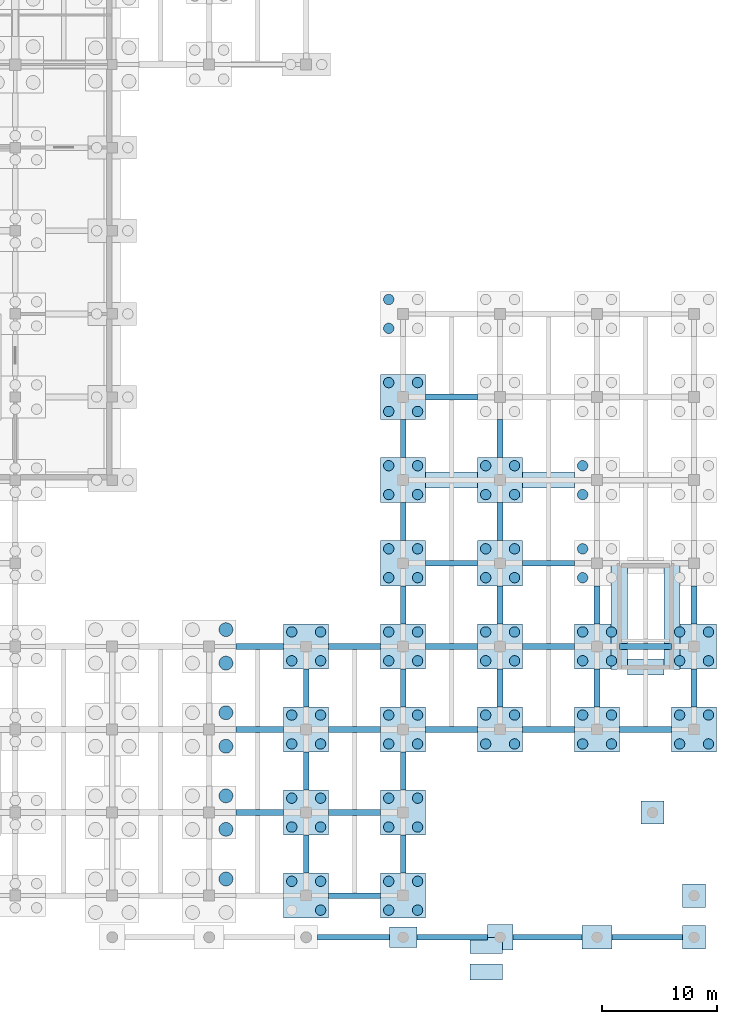
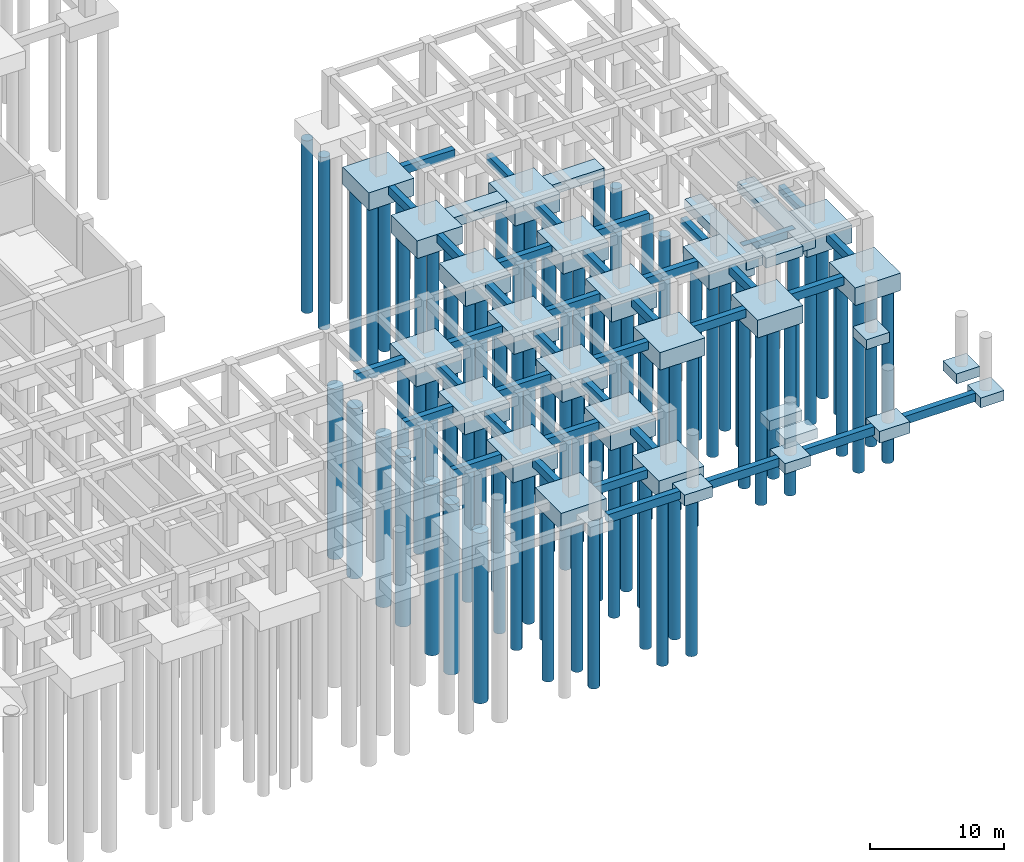
# One storey, part 10 of 26: 88 piles, 69 footings.
"""IFC4 building model written with IfcOpenShell, lengths in metres."""

from ifc_helpers import new_model, si_unit, direction, frame, origin, origin_2d, place, context, subcontext, project, spatial, rectangle, circle, extrude, material, material_profile, profile_set, type_object, element, save


model = new_model("IFC4")

# Units and contexts
model_context = context("Model", 3, precision=1e-05, world=origin(), true_north=direction((0.0, 1.0)))
body_context = subcontext(model_context, "Body", "Model", "MODEL_VIEW")
ifc_project = project(units=[si_unit("LENGTHUNIT", "METRE"), si_unit("AREAUNIT", "SQUARE_METRE"), si_unit("VOLUMEUNIT", "CUBIC_METRE"), si_unit("PLANEANGLEUNIT", "RADIAN"), si_unit("MASSUNIT", "GRAM", prefix="KILO")], contexts=[model_context])

# Site, building, storey
site_placement = place(None, origin())
site = spatial("IfcSite", under=ifc_project, at=site_placement, CompositionType="ELEMENT")
building_placement = place(site_placement, origin())
building = spatial("IfcBuilding", under=site, at=building_placement, Name="Kenerak Square Central Library", CompositionType="ELEMENT")
storey_placement = place(building_placement, frame((0.0, 0.0, -4.800048828125)))
storey = spatial("IfcBuildingStorey", under=building, at=storey_placement, Name="B1", CompositionType="ELEMENT", Elevation=-4.800048828125)

# Piles
ifc_material = material(Name="Concrete C40/50", Category="concrete")
ifc_material_profile_1 = material_profile(ifc_material, circle(Radius=0.60009765625, at=origin_2d()), Name="BP D1200")
ifc_profile_set_1 = profile_set([ifc_material_profile_1], Name="Concrete C40/50")
pile_type_1 = type_object("IfcPileType", Name="Bored Pile D1200 C40/50", PredefinedType="BORED", material=ifc_profile_set_1)
for number, where, z_axis, x_axis, name in (
    (1, (135.449951171875, 18.25, -1.699951171875), (0.0, 0.0, -1.0), (1.0, 0.0, 0.0), "Bored Pile BP-1200 0732"),
    (2, (135.449951171875, 22.550048828125, -1.699951171875), (0.0, 0.0, -1.0), (1.0, 0.0, 0.0), "Bored Pile BP-1200 0734"),
    (3, (135.449951171875, 25.449951171875, -1.699951171875), (0.0, 0.0, -1.0), (1.0, 0.0, 0.0), "Bored Pile BP-1200 0736"),
    (4, (135.449951171875, 29.75, -1.699951171875), (0.0, 0.0, -1.0), (1.0, 0.0, 0.0), "Bored Pile BP-1200 0738"),
    (5, (135.449951171875, 32.64990234375, -1.699951171875), (0.0, 0.0, -1.0), (1.0, 0.0, 0.0), "Bored Pile BP-1200 0740"),
    (6, (135.449951171875, 36.949951171875, -1.699951171875), (0.0, 0.0, -1.0), (1.0, 0.0, 0.0), "Bored Pile BP-1200 0742"),
    (7, (135.449951171875, 39.85009765625, -1.699951171875), (0.0, 0.0, -1.0), (1.0, 0.0, 0.0), "Bored Pile BP-1200 0744"),
):
    element("IfcPile", number, at=place(storey_placement, frame(where, z_axis=z_axis, x_axis=x_axis)), inside=storey, type_object=pile_type_1, Name=name, PredefinedType="BORED", context=body_context, shape_type="SweptSolid", body=[
        extrude(circle(Radius=0.60009765625, at=origin_2d()), origin(), (0.0, 0.0, 1.0), 15.5),
    ])
ifc_material_profile_2 = material_profile(ifc_material, circle(Radius=0.449951171875, at=origin_2d()), Name="BP D900")
ifc_profile_set_2 = profile_set([ifc_material_profile_2], Name="Concrete C40/50")
pile_type_2 = type_object("IfcPileType", Name="Bored Pile D900 C40/50", PredefinedType="BORED", material=ifc_profile_set_2)
for number, where, z_axis, x_axis, name in (
    (8, (143.64990234375, 15.550048828125, -1.5), (0.0, 0.0, -1.0), (1.0, 0.0, 0.0), "Bored Pile BP-900 0762"),
    (9, (141.14990234375, 18.050048828125, -1.5), (0.0, 0.0, -1.0), (1.0, 0.0, 0.0), "Bored Pile BP-900 0763"),
    (10, (143.64990234375, 18.050048828125, -1.5), (0.0, 0.0, -1.0), (1.0, 0.0, 0.0), "Bored Pile BP-900 0764"),
    (11, (141.14990234375, 22.75, -1.5), (0.0, 0.0, -1.0), (1.0, 0.0, 0.0), "Bored Pile BP-900 0765"),
    (12, (143.64990234375, 22.75, -1.5), (0.0, 0.0, -1.0), (1.0, 0.0, 0.0), "Bored Pile BP-900 0766"),
    (13, (141.14990234375, 25.25, -1.5), (0.0, 0.0, -1.0), (1.0, 0.0, 0.0), "Bored Pile BP-900 0767"),
    (14, (143.64990234375, 25.25, -1.5), (0.0, 0.0, -1.0), (1.0, 0.0, 0.0), "Bored Pile BP-900 0768"),
    (15, (141.14990234375, 29.949951171875, -1.5), (0.0, 0.0, -1.0), (1.0, 0.0, 0.0), "Bored Pile BP-900 0769"),
    (16, (143.64990234375, 29.949951171875, -1.5), (0.0, 0.0, -1.0), (1.0, 0.0, 0.0), "Bored Pile BP-900 0770"),
    (17, (141.14990234375, 32.449951171875, -1.5), (0.0, 0.0, -1.0), (1.0, 0.0, 0.0), "Bored Pile BP-900 0771"),
    (18, (143.64990234375, 32.449951171875, -1.5), (0.0, 0.0, -1.0), (1.0, 0.0, 0.0), "Bored Pile BP-900 0772"),
    (19, (141.14990234375, 37.14990234375, -1.5), (0.0, 0.0, -1.0), (1.0, 0.0, 0.0), "Bored Pile BP-900 0773"),
    (20, (143.64990234375, 37.14990234375, -1.5), (0.0, 0.0, -1.0), (1.0, 0.0, 0.0), "Bored Pile BP-900 0774"),
    (21, (141.14990234375, 39.64990234375, -1.5), (0.0, 0.0, -1.0), (1.0, 0.0, 0.0), "Bored Pile BP-900 0775"),
    (22, (143.64990234375, 39.64990234375, -1.5), (0.0, 0.0, -1.0), (1.0, 0.0, 0.0), "Bored Pile BP-900 0776"),
    (23, (149.550048828125, 15.550048828125, -1.5), (0.0, 0.0, -1.0), (1.0, 0.0, 0.0), "Bored Pile BP-900 0785"),
    (24, (152.050048828125, 15.550048828125, -1.5), (0.0, 0.0, -1.0), (1.0, 0.0, 0.0), "Bored Pile BP-900 0786"),
    (25, (149.550048828125, 18.050048828125, -1.5), (0.0, 0.0, -1.0), (1.0, 0.0, 0.0), "Bored Pile BP-900 0787"),
    (26, (152.050048828125, 18.050048828125, -1.5), (0.0, 0.0, -1.0), (1.0, 0.0, 0.0), "Bored Pile BP-900 0788"),
    (27, (149.550048828125, 22.75, -1.5), (0.0, 0.0, -1.0), (1.0, 0.0, 0.0), "Bored Pile BP-900 0789"),
    (28, (152.050048828125, 22.75, -1.5), (0.0, 0.0, -1.0), (1.0, 0.0, 0.0), "Bored Pile BP-900 0790"),
    (29, (149.550048828125, 25.25, -1.5), (0.0, 0.0, -1.0), (1.0, 0.0, 0.0), "Bored Pile BP-900 0791"),
    (30, (152.050048828125, 25.25, -1.5), (0.0, 0.0, -1.0), (1.0, 0.0, 0.0), "Bored Pile BP-900 0792"),
    (31, (149.550048828125, 29.949951171875, -1.5), (0.0, 0.0, -1.0), (1.0, 0.0, 0.0), "Bored Pile BP-900 0793"),
    (32, (152.050048828125, 29.949951171875, -1.5), (0.0, 0.0, -1.0), (1.0, 0.0, 0.0), "Bored Pile BP-900 0794"),
    (33, (149.550048828125, 32.449951171875, -1.5), (0.0, 0.0, -1.0), (1.0, 0.0, 0.0), "Bored Pile BP-900 0795"),
    (34, (152.050048828125, 32.449951171875, -1.5), (0.0, 0.0, -1.0), (1.0, 0.0, 0.0), "Bored Pile BP-900 0796"),
    (35, (149.550048828125, 37.14990234375, -1.5), (0.0, 0.0, -1.0), (1.0, 0.0, 0.0), "Bored Pile BP-900 0797"),
    (36, (152.050048828125, 37.14990234375, -1.5), (0.0, 0.0, -1.0), (1.0, 0.0, 0.0), "Bored Pile BP-900 0798"),
    (37, (149.550048828125, 39.64990234375, -1.5), (0.0, 0.0, -1.0), (1.0, 0.0, 0.0), "Bored Pile BP-900 0799"),
    (38, (152.050048828125, 39.64990234375, -1.5), (0.0, 0.0, -1.0), (1.0, 0.0, 0.0), "Bored Pile BP-900 0800"),
    (39, (149.550048828125, 44.35009765625, -1.5), (0.0, 0.0, -1.0), (1.0, 0.0, 0.0), "Bored Pile BP-900 0801"),
    (40, (152.050048828125, 44.35009765625, -1.5), (0.0, 0.0, -1.0), (1.0, 0.0, 0.0), "Bored Pile BP-900 0802"),
    (41, (149.550048828125, 46.85009765625, -1.5), (0.0, 0.0, -1.0), (1.0, 0.0, 0.0), "Bored Pile BP-900 0803"),
    (42, (152.050048828125, 46.85009765625, -1.5), (0.0, 0.0, -1.0), (1.0, 0.0, 0.0), "Bored Pile BP-900 0804"),
    (43, (149.550048828125, 51.550048828125, -1.5), (0.0, 0.0, -1.0), (1.0, 0.0, 0.0), "Bored Pile BP-900 0805"),
    (44, (152.050048828125, 51.550048828125, -1.5), (0.0, 0.0, -1.0), (1.0, 0.0, 0.0), "Bored Pile BP-900 0806"),
    (45, (149.550048828125, 54.050048828125, -1.5), (0.0, 0.0, -1.0), (1.0, 0.0, 0.0), "Bored Pile BP-900 0807"),
    (46, (152.050048828125, 54.050048828125, -1.5), (0.0, 0.0, -1.0), (1.0, 0.0, 0.0), "Bored Pile BP-900 0808"),
    (47, (149.550048828125, 58.75, -1.5), (0.0, 0.0, -1.0), (1.0, 0.0, 0.0), "Bored Pile BP-900 0809"),
    (48, (152.050048828125, 58.75, -1.5), (0.0, 0.0, -1.0), (1.0, 0.0, 0.0), "Bored Pile BP-900 0810"),
    (49, (149.550048828125, 61.25, -1.5), (0.0, 0.0, -1.0), (1.0, 0.0, 0.0), "Bored Pile BP-900 0811"),
    (50, (152.050048828125, 61.25, -1.5), (0.0, 0.0, -1.0), (1.0, 0.0, 0.0), "Bored Pile BP-900 0812"),
    (51, (149.550048828125, 65.949951171875, -1.5), (0.0, 0.0, -1.0), (1.0, 0.0, 0.0), "Bored Pile BP-900 0813"),
    (52, (149.550048828125, 68.449951171875, -1.5), (0.0, 0.0, -1.0), (1.0, 0.0, 0.0), "Bored Pile BP-900 0815"),
    (53, (157.949951171875, 29.949951171875, -1.5), (0.0, 0.0, -1.0), (1.0, 0.0, 0.0), "Bored Pile BP-900 0817"),
    (54, (160.449951171875, 29.949951171875, -1.5), (0.0, 0.0, -1.0), (1.0, 0.0, 0.0), "Bored Pile BP-900 0818"),
    (55, (157.949951171875, 32.449951171875, -1.5), (0.0, 0.0, -1.0), (1.0, 0.0, 0.0), "Bored Pile BP-900 0819"),
    (56, (160.449951171875, 32.449951171875, -1.5), (0.0, 0.0, -1.0), (1.0, 0.0, 0.0), "Bored Pile BP-900 0820"),
    (57, (157.949951171875, 37.14990234375, -1.5), (0.0, 0.0, -1.0), (1.0, 0.0, 0.0), "Bored Pile BP-900 0821"),
    (58, (160.449951171875, 37.14990234375, -1.5), (0.0, 0.0, -1.0), (1.0, 0.0, 0.0), "Bored Pile BP-900 0822"),
    (59, (157.949951171875, 39.64990234375, -1.5), (0.0, 0.0, -1.0), (1.0, 0.0, 0.0), "Bored Pile BP-900 0823"),
    (60, (160.449951171875, 39.64990234375, -1.5), (0.0, 0.0, -1.0), (1.0, 0.0, 0.0), "Bored Pile BP-900 0824"),
    (61, (157.949951171875, 44.35009765625, -1.5), (0.0, 0.0, -1.0), (1.0, 0.0, 0.0), "Bored Pile BP-900 0825"),
    (62, (160.449951171875, 44.35009765625, -1.5), (0.0, 0.0, -1.0), (1.0, 0.0, 0.0), "Bored Pile BP-900 0826"),
    (63, (157.949951171875, 46.85009765625, -1.5), (0.0, 0.0, -1.0), (1.0, 0.0, 0.0), "Bored Pile BP-900 0827"),
    (64, (160.449951171875, 46.85009765625, -1.5), (0.0, 0.0, -1.0), (1.0, 0.0, 0.0), "Bored Pile BP-900 0828"),
    (65, (157.949951171875, 51.550048828125, -1.5), (0.0, 0.0, -1.0), (1.0, 0.0, 0.0), "Bored Pile BP-900 0829"),
    (66, (160.449951171875, 51.550048828125, -1.5), (0.0, 0.0, -1.0), (1.0, 0.0, 0.0), "Bored Pile BP-900 0830"),
    (67, (157.949951171875, 54.050048828125, -1.5), (0.0, 0.0, -1.0), (1.0, 0.0, 0.0), "Bored Pile BP-900 0831"),
    (68, (160.449951171875, 54.050048828125, -1.5), (0.0, 0.0, -1.0), (1.0, 0.0, 0.0), "Bored Pile BP-900 0832"),
    (69, (166.35009765625, 29.949951171875, -1.5), (0.0, 0.0, -1.0), (1.0, 0.0, 0.0), "Bored Pile BP-900 0841"),
    (70, (168.85009765625, 29.949951171875, -1.5), (0.0, 0.0, -1.0), (1.0, 0.0, 0.0), "Bored Pile BP-900 0842"),
    (71, (166.35009765625, 32.449951171875, -1.5), (0.0, 0.0, -1.0), (1.0, 0.0, 0.0), "Bored Pile BP-900 0843"),
    (72, (168.85009765625, 32.449951171875, -1.5), (0.0, 0.0, -1.0), (1.0, 0.0, 0.0), "Bored Pile BP-900 0844"),
    (73, (166.35009765625, 37.14990234375, -1.5), (0.0, 0.0, -1.0), (1.0, 0.0, 0.0), "Bored Pile BP-900 0845"),
    (74, (168.85009765625, 37.14990234375, -1.5), (0.0, 0.0, -1.0), (1.0, 0.0, 0.0), "Bored Pile BP-900 0846"),
    (75, (166.35009765625, 39.64990234375, -1.5), (0.0, 0.0, -1.0), (1.0, 0.0, 0.0), "Bored Pile BP-900 0847"),
    (76, (168.85009765625, 39.64990234375, -1.5), (0.0, 0.0, -1.0), (1.0, 0.0, 0.0), "Bored Pile BP-900 0848"),
    (77, (166.35009765625, 44.35009765625, -1.5), (0.0, 0.0, -1.0), (1.0, 0.0, 0.0), "Bored Pile BP-900 0849"),
    (78, (166.35009765625, 46.85009765625, -1.5), (0.0, 0.0, -1.0), (1.0, 0.0, 0.0), "Bored Pile BP-900 0851"),
    (79, (166.35009765625, 51.550048828125, -1.5), (0.0, 0.0, -1.0), (1.0, 0.0, 0.0), "Bored Pile BP-900 0853"),
    (80, (166.35009765625, 54.050048828125, -1.5), (0.0, 0.0, -1.0), (1.0, 0.0, 0.0), "Bored Pile BP-900 0855"),
    (81, (174.75, 29.949951171875, -1.5), (0.0, 0.0, -1.0), (1.0, 0.0, 0.0), "Bored Pile BP-900 0865"),
    (82, (177.25, 29.949951171875, -1.5), (0.0, 0.0, -1.0), (1.0, 0.0, 0.0), "Bored Pile BP-900 0866"),
    (83, (174.75, 32.449951171875, -1.5), (0.0, 0.0, -1.0), (1.0, 0.0, 0.0), "Bored Pile BP-900 0867"),
    (84, (177.25, 32.449951171875, -1.5), (0.0, 0.0, -1.0), (1.0, 0.0, 0.0), "Bored Pile BP-900 0868"),
    (85, (174.75, 37.14990234375, -1.5), (0.0, 0.0, -1.0), (1.0, 0.0, 0.0), "Bored Pile BP-900 0869"),
    (86, (177.25, 37.14990234375, -1.5), (0.0, 0.0, -1.0), (1.0, 0.0, 0.0), "Bored Pile BP-900 0870"),
    (87, (174.75, 39.64990234375, -1.5), (0.0, 0.0, -1.0), (1.0, 0.0, 0.0), "Bored Pile BP-900 0871"),
    (88, (177.25, 39.64990234375, -1.5), (0.0, 0.0, -1.0), (1.0, 0.0, 0.0), "Bored Pile BP-900 0872"),
):
    element("IfcPile", number, at=place(storey_placement, frame(where, z_axis=z_axis, x_axis=x_axis)), inside=storey, type_object=pile_type_2, Name=name, PredefinedType="BORED", context=body_context, shape_type="SweptSolid", body=[
        extrude(circle(Radius=0.449951171875, at=origin_2d()), origin(), (0.0, 0.0, 1.0), 15.699951171875),
    ])

# Footings
footing_type_1 = type_object("IfcFootingType", Name="Colonnade Pad Footing PF-01 2000x2000x900", PredefinedType="PAD_FOOTING", material=ifc_material)
for number, where, z_axis, x_axis, name in (
    (89, (176.0, 13.199951171875, -0.89990234375), (0.0, 0.0, 1.0), (1.0, 0.0, 0.0), "Pad Footing PF-01 013"),
    (90, (176.0, 16.800048828125, -0.89990234375), (0.0, 0.0, 1.0), (1.0, 0.0, 0.0), "Pad Footing PF-01 CSUB03"),
    (91, (172.39990234375, 24.0, -0.89990234375), (0.0, 0.0, 1.0), (1.0, 0.0, 0.0), "Pad Footing PF-01 CSUB04"),
):
    element("IfcFooting", number, at=place(storey_placement, frame(where, z_axis=z_axis, x_axis=x_axis)), inside=storey, type_object=footing_type_1, Name=name, PredefinedType="PAD_FOOTING", context=body_context, shape_type="SweptSolid", body=[
        extrude(rectangle(XDim=2.0, YDim=2.0, at=origin_2d()), origin(), (0.0, 0.0, 1.0), 0.89990234375),
    ])
footing_type_2 = type_object("IfcFootingType", Name="Colonnade Pad Footing PF-02 2400x1800x1000", PredefinedType="PAD_FOOTING", material=ifc_material)
footing_1_placement = place(storey_placement, frame((150.800048828125, 13.199951171875, -1.0), z_axis=(0.0, 0.0, 1.0), x_axis=(1.0, 0.0, 0.0)))
element("IfcFooting", 92, at=footing_1_placement, inside=storey, type_object=footing_type_2, Name="Pad Footing PF-02 010", PredefinedType="PAD_FOOTING", context=body_context, shape_type="SweptSolid", body=[
    extrude(rectangle(XDim=2.39990234375, YDim=1.800048828125, at=origin_2d()), origin(), (0.0, 0.0, 1.0), 1.0),
])
footing_type_3 = type_object("IfcFootingType", Name="Colonnade Pad Footing PF-03 2200x2200x950", PredefinedType="PAD_FOOTING", material=ifc_material)
footing_2_placement = place(storey_placement, frame((159.199951171875, 13.199951171875, -0.94970703125), z_axis=(0.0, 0.0, 1.0), x_axis=(1.0, 0.0, 0.0)))
element("IfcFooting", 93, at=footing_2_placement, inside=storey, type_object=footing_type_3, Name="Pad Footing PF-03 011", PredefinedType="PAD_FOOTING", context=body_context, shape_type="SweptSolid", body=[
    extrude(rectangle(XDim=2.199951171875, YDim=2.199951171875, at=origin_2d()), origin(), (0.0, 0.0, 1.0), 0.949951171875),
])
footing_type_4 = type_object("IfcFootingType", Name="Colonnade Pad Footing PF-04 2600x2000x1050", PredefinedType="PAD_FOOTING", material=ifc_material)
footing_3_placement = place(storey_placement, frame((167.60009765625, 13.199951171875, -1.0498046875), z_axis=(0.0, 0.0, 1.0), x_axis=(1.0, 0.0, 0.0)))
element("IfcFooting", 94, at=footing_3_placement, inside=storey, type_object=footing_type_4, Name="Pad Footing PF-04 012", PredefinedType="PAD_FOOTING", context=body_context, shape_type="SweptSolid", body=[
    extrude(rectangle(XDim=2.60009765625, YDim=2.0, at=origin_2d()), origin(), (0.0, 0.0, 1.0), 1.050048828125),
])
footing_type_5 = type_object("IfcFootingType", Name="Ground Tie Beam GB-01 500x750", PredefinedType="FOOTING_BEAM", material=ifc_material)
for number, where, z_axis, x_axis, name in (
    (95, (138.375, 24.0, -0.75), (0.0, 0.0, 1.0), (1.0, 0.0, 0.0), "Ground Tie Beam 262"),
    (96, (138.375, 31.199951171875, -0.75), (0.0, 0.0, 1.0), (1.0, 0.0, 0.0), "Ground Tie Beam 264"),
    (97, (138.375, 38.39990234375, -0.75), (0.0, 0.0, 1.0), (1.0, 0.0, 0.0), "Ground Tie Beam 266"),
):
    element("IfcFooting", number, at=place(storey_placement, frame(where, z_axis=z_axis, x_axis=x_axis)), inside=storey, type_object=footing_type_5, Name=name, PredefinedType="FOOTING_BEAM", context=body_context, shape_type="SweptSolid", body=[
        extrude(rectangle(XDim=4.14990234375, YDim=0.5, at=origin_2d()), origin(), (0.0, 0.0, 1.0), 0.75),
    ])
footing_4_placement = place(storey_placement, frame((146.5, 13.199951171875, -0.75), z_axis=(0.0, 0.0, 1.0), x_axis=(1.0, 0.0, 0.0)))
element("IfcFooting", 98, at=footing_4_placement, inside=storey, type_object=footing_type_5, Name="Ground Tie Beam 273", PredefinedType="FOOTING_BEAM", context=body_context, shape_type="SweptSolid", body=[
    extrude(rectangle(XDim=6.199951171875, YDim=0.5, at=origin_2d()), origin(), (0.0, 0.0, 1.0), 0.75),
])
footing_5_placement = place(storey_placement, frame((146.60009765625, 16.800048828125, -0.75), z_axis=(0.0, 0.0, 1.0), x_axis=(1.0, 0.0, 0.0)))
element("IfcFooting", 99, at=footing_5_placement, inside=storey, type_object=footing_type_5, Name="Ground Tie Beam 274", PredefinedType="FOOTING_BEAM", context=body_context, shape_type="SweptSolid", body=[
    extrude(rectangle(XDim=4.5, YDim=0.5, at=origin_2d()), origin(), (0.0, 0.0, 1.0), 0.75),
])
footing_6_placement = place(storey_placement, frame((142.39990234375, 20.39990234375, -0.75), z_axis=(0.0, 0.0, 1.0), x_axis=(1.0, 0.0, 0.0)))
element("IfcFooting", 100, at=footing_6_placement, inside=storey, type_object=footing_type_5, Name="Ground Tie Beam 275", PredefinedType="FOOTING_BEAM", context=body_context, shape_type="SweptSolid", body=[
    extrude(rectangle(XDim=0.5, YDim=3.300048828125, at=origin_2d()), origin(), (0.0, 0.0, 1.0), 0.75),
])
footing_7_placement = place(storey_placement, frame((146.60009765625, 24.0, -0.75), z_axis=(0.0, 0.0, 1.0), x_axis=(1.0, 0.0, 0.0)))
element("IfcFooting", 101, at=footing_7_placement, inside=storey, type_object=footing_type_5, Name="Ground Tie Beam 276", PredefinedType="FOOTING_BEAM", context=body_context, shape_type="SweptSolid", body=[
    extrude(rectangle(XDim=4.5, YDim=0.5, at=origin_2d()), origin(), (0.0, 0.0, 1.0), 0.75),
])
footing_8_placement = place(storey_placement, frame((142.39990234375, 27.60009765625, -0.75), z_axis=(0.0, 0.0, 1.0), x_axis=(1.0, 0.0, 0.0)))
element("IfcFooting", 102, at=footing_8_placement, inside=storey, type_object=footing_type_5, Name="Ground Tie Beam 277", PredefinedType="FOOTING_BEAM", context=body_context, shape_type="SweptSolid", body=[
    extrude(rectangle(XDim=0.5, YDim=3.300048828125, at=origin_2d()), origin(), (0.0, 0.0, 1.0), 0.75),
])
footing_9_placement = place(storey_placement, frame((146.60009765625, 31.199951171875, -0.75), z_axis=(0.0, 0.0, 1.0), x_axis=(1.0, 0.0, 0.0)))
element("IfcFooting", 103, at=footing_9_placement, inside=storey, type_object=footing_type_5, Name="Ground Tie Beam 278", PredefinedType="FOOTING_BEAM", context=body_context, shape_type="SweptSolid", body=[
    extrude(rectangle(XDim=4.5, YDim=0.5, at=origin_2d()), origin(), (0.0, 0.0, 1.0), 0.75),
])
footing_10_placement = place(storey_placement, frame((142.39990234375, 34.800048828125, -0.75), z_axis=(0.0, 0.0, 1.0), x_axis=(1.0, 0.0, 0.0)))
element("IfcFooting", 104, at=footing_10_placement, inside=storey, type_object=footing_type_5, Name="Ground Tie Beam 279", PredefinedType="FOOTING_BEAM", context=body_context, shape_type="SweptSolid", body=[
    extrude(rectangle(XDim=0.5, YDim=3.300048828125, at=origin_2d()), origin(), (0.0, 0.0, 1.0), 0.75),
])
footing_11_placement = place(storey_placement, frame((146.60009765625, 38.39990234375, -0.75), z_axis=(0.0, 0.0, 1.0), x_axis=(1.0, 0.0, 0.0)))
element("IfcFooting", 105, at=footing_11_placement, inside=storey, type_object=footing_type_5, Name="Ground Tie Beam 280", PredefinedType="FOOTING_BEAM", context=body_context, shape_type="SweptSolid", body=[
    extrude(rectangle(XDim=4.5, YDim=0.5, at=origin_2d()), origin(), (0.0, 0.0, 1.0), 0.75),
])
footing_12_placement = place(storey_placement, frame((155.050048828125, 13.199951171875, -0.75), z_axis=(0.0, 0.0, 1.0), x_axis=(1.0, 0.0, 0.0)))
element("IfcFooting", 106, at=footing_12_placement, inside=storey, type_object=footing_type_5, Name="Ground Tie Beam 284", PredefinedType="FOOTING_BEAM", context=body_context, shape_type="SweptSolid", body=[
    extrude(rectangle(XDim=6.10009765625, YDim=0.5, at=origin_2d()), origin(), (0.0, 0.0, 1.0), 0.75),
])
for number, where, z_axis, x_axis, name in (
    (107, (150.800048828125, 20.39990234375, -0.75), (0.0, 0.0, 1.0), (1.0, 0.0, 0.0), "Ground Tie Beam 285"),
    (108, (150.800048828125, 27.60009765625, -0.75), (0.0, 0.0, 1.0), (1.0, 0.0, 0.0), "Ground Tie Beam 286"),
):
    element("IfcFooting", number, at=place(storey_placement, frame(where, z_axis=z_axis, x_axis=x_axis)), inside=storey, type_object=footing_type_5, Name=name, PredefinedType="FOOTING_BEAM", context=body_context, shape_type="SweptSolid", body=[
        extrude(rectangle(XDim=0.5, YDim=3.300048828125, at=origin_2d()), origin(), (0.0, 0.0, 1.0), 0.75),
    ])
footing_13_placement = place(storey_placement, frame((155.0, 31.199951171875, -0.75), z_axis=(0.0, 0.0, 1.0), x_axis=(1.0, 0.0, 0.0)))
element("IfcFooting", 109, at=footing_13_placement, inside=storey, type_object=footing_type_5, Name="Ground Tie Beam 287", PredefinedType="FOOTING_BEAM", context=body_context, shape_type="SweptSolid", body=[
    extrude(rectangle(XDim=4.5, YDim=0.5, at=origin_2d()), origin(), (0.0, 0.0, 1.0), 0.75),
])
footing_14_placement = place(storey_placement, frame((150.800048828125, 34.800048828125, -0.75), z_axis=(0.0, 0.0, 1.0), x_axis=(1.0, 0.0, 0.0)))
element("IfcFooting", 110, at=footing_14_placement, inside=storey, type_object=footing_type_5, Name="Ground Tie Beam 288", PredefinedType="FOOTING_BEAM", context=body_context, shape_type="SweptSolid", body=[
    extrude(rectangle(XDim=0.5, YDim=3.300048828125, at=origin_2d()), origin(), (0.0, 0.0, 1.0), 0.75),
])
footing_15_placement = place(storey_placement, frame((155.0, 38.39990234375, -0.75), z_axis=(0.0, 0.0, 1.0), x_axis=(1.0, 0.0, 0.0)))
element("IfcFooting", 111, at=footing_15_placement, inside=storey, type_object=footing_type_5, Name="Ground Tie Beam 289", PredefinedType="FOOTING_BEAM", context=body_context, shape_type="SweptSolid", body=[
    extrude(rectangle(XDim=4.5, YDim=0.5, at=origin_2d()), origin(), (0.0, 0.0, 1.0), 0.75),
])
footing_16_placement = place(storey_placement, frame((150.800048828125, 42.0, -0.75), z_axis=(0.0, 0.0, 1.0), x_axis=(1.0, 0.0, 0.0)))
element("IfcFooting", 112, at=footing_16_placement, inside=storey, type_object=footing_type_5, Name="Ground Tie Beam 290", PredefinedType="FOOTING_BEAM", context=body_context, shape_type="SweptSolid", body=[
    extrude(rectangle(XDim=0.5, YDim=3.300048828125, at=origin_2d()), origin(), (0.0, 0.0, 1.0), 0.75),
])
footing_17_placement = place(storey_placement, frame((155.0, 45.60009765625, -0.75), z_axis=(0.0, 0.0, 1.0), x_axis=(1.0, 0.0, 0.0)))
element("IfcFooting", 113, at=footing_17_placement, inside=storey, type_object=footing_type_5, Name="Ground Tie Beam 291", PredefinedType="FOOTING_BEAM", context=body_context, shape_type="SweptSolid", body=[
    extrude(rectangle(XDim=4.5, YDim=0.5, at=origin_2d()), origin(), (0.0, 0.0, 1.0), 0.75),
])
for number, where, z_axis, x_axis, name in (
    (114, (150.800048828125, 49.199951171875, -0.75), (0.0, 0.0, 1.0), (1.0, 0.0, 0.0), "Ground Tie Beam 292"),
    (115, (150.800048828125, 56.39990234375, -0.75), (0.0, 0.0, 1.0), (1.0, 0.0, 0.0), "Ground Tie Beam 293"),
):
    element("IfcFooting", number, at=place(storey_placement, frame(where, z_axis=z_axis, x_axis=x_axis)), inside=storey, type_object=footing_type_5, Name=name, PredefinedType="FOOTING_BEAM", context=body_context, shape_type="SweptSolid", body=[
        extrude(rectangle(XDim=0.5, YDim=3.300048828125, at=origin_2d()), origin(), (0.0, 0.0, 1.0), 0.75),
    ])
footing_18_placement = place(storey_placement, frame((155.0, 60.0, -0.75), z_axis=(0.0, 0.0, 1.0), x_axis=(1.0, 0.0, 0.0)))
element("IfcFooting", 116, at=footing_18_placement, inside=storey, type_object=footing_type_5, Name="Ground Tie Beam 294", PredefinedType="FOOTING_BEAM", context=body_context, shape_type="SweptSolid", body=[
    extrude(rectangle(XDim=4.5, YDim=0.5, at=origin_2d()), origin(), (0.0, 0.0, 1.0), 0.75),
])
footing_19_placement = place(storey_placement, frame((163.300048828125, 13.199951171875, -0.75), z_axis=(0.0, 0.0, 1.0), x_axis=(1.0, 0.0, 0.0)))
element("IfcFooting", 117, at=footing_19_placement, inside=storey, type_object=footing_type_5, Name="Ground Tie Beam 297", PredefinedType="FOOTING_BEAM", context=body_context, shape_type="SweptSolid", body=[
    extrude(rectangle(XDim=6.0, YDim=0.5, at=origin_2d()), origin(), (0.0, 0.0, 1.0), 0.75),
])
footing_20_placement = place(storey_placement, frame((163.39990234375, 31.199951171875, -0.75), z_axis=(0.0, 0.0, 1.0), x_axis=(1.0, 0.0, 0.0)))
element("IfcFooting", 118, at=footing_20_placement, inside=storey, type_object=footing_type_5, Name="Ground Tie Beam 298", PredefinedType="FOOTING_BEAM", context=body_context, shape_type="SweptSolid", body=[
    extrude(rectangle(XDim=4.5, YDim=0.5, at=origin_2d()), origin(), (0.0, 0.0, 1.0), 0.75),
])
footing_21_placement = place(storey_placement, frame((159.199951171875, 34.800048828125, -0.75), z_axis=(0.0, 0.0, 1.0), x_axis=(1.0, 0.0, 0.0)))
element("IfcFooting", 119, at=footing_21_placement, inside=storey, type_object=footing_type_5, Name="Ground Tie Beam 299", PredefinedType="FOOTING_BEAM", context=body_context, shape_type="SweptSolid", body=[
    extrude(rectangle(XDim=0.5, YDim=3.300048828125, at=origin_2d()), origin(), (0.0, 0.0, 1.0), 0.75),
])
footing_22_placement = place(storey_placement, frame((163.39990234375, 38.39990234375, -0.75), z_axis=(0.0, 0.0, 1.0), x_axis=(1.0, 0.0, 0.0)))
element("IfcFooting", 120, at=footing_22_placement, inside=storey, type_object=footing_type_5, Name="Ground Tie Beam 300", PredefinedType="FOOTING_BEAM", context=body_context, shape_type="SweptSolid", body=[
    extrude(rectangle(XDim=4.5, YDim=0.5, at=origin_2d()), origin(), (0.0, 0.0, 1.0), 0.75),
])
footing_23_placement = place(storey_placement, frame((159.199951171875, 42.0, -0.75), z_axis=(0.0, 0.0, 1.0), x_axis=(1.0, 0.0, 0.0)))
element("IfcFooting", 121, at=footing_23_placement, inside=storey, type_object=footing_type_5, Name="Ground Tie Beam 301", PredefinedType="FOOTING_BEAM", context=body_context, shape_type="SweptSolid", body=[
    extrude(rectangle(XDim=0.5, YDim=3.300048828125, at=origin_2d()), origin(), (0.0, 0.0, 1.0), 0.75),
])
footing_24_placement = place(storey_placement, frame((163.39990234375, 45.60009765625, -0.75), z_axis=(0.0, 0.0, 1.0), x_axis=(1.0, 0.0, 0.0)))
element("IfcFooting", 122, at=footing_24_placement, inside=storey, type_object=footing_type_5, Name="Ground Tie Beam 302", PredefinedType="FOOTING_BEAM", context=body_context, shape_type="SweptSolid", body=[
    extrude(rectangle(XDim=4.5, YDim=0.5, at=origin_2d()), origin(), (0.0, 0.0, 1.0), 0.75),
])
for number, where, z_axis, x_axis, name in (
    (123, (159.199951171875, 49.199951171875, -0.75), (0.0, 0.0, 1.0), (1.0, 0.0, 0.0), "Ground Tie Beam 303"),
    (124, (159.199951171875, 56.39990234375, -0.75), (0.0, 0.0, 1.0), (1.0, 0.0, 0.0), "Ground Tie Beam 304"),
):
    element("IfcFooting", number, at=place(storey_placement, frame(where, z_axis=z_axis, x_axis=x_axis)), inside=storey, type_object=footing_type_5, Name=name, PredefinedType="FOOTING_BEAM", context=body_context, shape_type="SweptSolid", body=[
        extrude(rectangle(XDim=0.5, YDim=3.300048828125, at=origin_2d()), origin(), (0.0, 0.0, 1.0), 0.75),
    ])
footing_25_placement = place(storey_placement, frame((171.949951171875, 13.199951171875, -0.75), z_axis=(0.0, 0.0, 1.0), x_axis=(1.0, 0.0, 0.0)))
element("IfcFooting", 125, at=footing_25_placement, inside=storey, type_object=footing_type_5, Name="Ground Tie Beam 308", PredefinedType="FOOTING_BEAM", context=body_context, shape_type="SweptSolid", body=[
    extrude(rectangle(XDim=6.10009765625, YDim=0.5, at=origin_2d()), origin(), (0.0, 0.0, 1.0), 0.75),
])
footing_26_placement = place(storey_placement, frame((171.800048828125, 31.199951171875, -0.75), z_axis=(0.0, 0.0, 1.0), x_axis=(1.0, 0.0, 0.0)))
element("IfcFooting", 126, at=footing_26_placement, inside=storey, type_object=footing_type_5, Name="Ground Tie Beam 309", PredefinedType="FOOTING_BEAM", context=body_context, shape_type="SweptSolid", body=[
    extrude(rectangle(XDim=4.5, YDim=0.5, at=origin_2d()), origin(), (0.0, 0.0, 1.0), 0.75),
])
footing_27_placement = place(storey_placement, frame((167.60009765625, 34.800048828125, -0.75), z_axis=(0.0, 0.0, 1.0), x_axis=(1.0, 0.0, 0.0)))
element("IfcFooting", 127, at=footing_27_placement, inside=storey, type_object=footing_type_5, Name="Ground Tie Beam 310", PredefinedType="FOOTING_BEAM", context=body_context, shape_type="SweptSolid", body=[
    extrude(rectangle(XDim=0.5, YDim=3.300048828125, at=origin_2d()), origin(), (0.0, 0.0, 1.0), 0.75),
])
footing_28_placement = place(storey_placement, frame((171.800048828125, 38.39990234375, -0.75), z_axis=(0.0, 0.0, 1.0), x_axis=(1.0, 0.0, 0.0)))
element("IfcFooting", 128, at=footing_28_placement, inside=storey, type_object=footing_type_5, Name="Ground Tie Beam 311", PredefinedType="FOOTING_BEAM", context=body_context, shape_type="SweptSolid", body=[
    extrude(rectangle(XDim=4.5, YDim=0.5, at=origin_2d()), origin(), (0.0, 0.0, 1.0), 0.75),
])
for number, where, z_axis, x_axis, name in (
    (129, (167.60009765625, 42.0, -0.75), (0.0, 0.0, 1.0), (1.0, 0.0, 0.0), "Ground Tie Beam 312"),
    (130, (176.0, 34.800048828125, -0.75), (0.0, 0.0, 1.0), (1.0, 0.0, 0.0), "Ground Tie Beam 319"),
    (131, (176.0, 42.0, -0.75), (0.0, 0.0, 1.0), (1.0, 0.0, 0.0), "Ground Tie Beam 320"),
):
    element("IfcFooting", number, at=place(storey_placement, frame(where, z_axis=z_axis, x_axis=x_axis)), inside=storey, type_object=footing_type_5, Name=name, PredefinedType="FOOTING_BEAM", context=body_context, shape_type="SweptSolid", body=[
        extrude(rectangle(XDim=0.5, YDim=3.300048828125, at=origin_2d()), origin(), (0.0, 0.0, 1.0), 0.75),
    ])
footing_type_6 = type_object("IfcFootingType", Name="Pile Cap PC-03 3900x3900x1600", PredefinedType="PILE_CAP", material=ifc_material)
for number, where, z_axis, x_axis, name in (
    (132, (142.39990234375, 16.800048828125, -1.60009765625), (0.0, 0.0, 1.0), (1.0, 0.0, 0.0), "Pile Cap PC-03 179"),
    (133, (142.39990234375, 24.0, -1.60009765625), (0.0, 0.0, 1.0), (1.0, 0.0, 0.0), "Pile Cap PC-03 180"),
    (134, (142.39990234375, 31.199951171875, -1.60009765625), (0.0, 0.0, 1.0), (1.0, 0.0, 0.0), "Pile Cap PC-03 181"),
    (135, (142.39990234375, 38.39990234375, -1.60009765625), (0.0, 0.0, 1.0), (1.0, 0.0, 0.0), "Pile Cap PC-03 182"),
    (136, (150.800048828125, 16.800048828125, -1.60009765625), (0.0, 0.0, 1.0), (1.0, 0.0, 0.0), "Pile Cap PC-03 187"),
    (137, (150.800048828125, 24.0, -1.60009765625), (0.0, 0.0, 1.0), (1.0, 0.0, 0.0), "Pile Cap PC-03 188"),
    (138, (150.800048828125, 31.199951171875, -1.60009765625), (0.0, 0.0, 1.0), (1.0, 0.0, 0.0), "Pile Cap PC-03 189"),
    (139, (150.800048828125, 38.39990234375, -1.60009765625), (0.0, 0.0, 1.0), (1.0, 0.0, 0.0), "Pile Cap PC-03 190"),
    (140, (150.800048828125, 45.60009765625, -1.60009765625), (0.0, 0.0, 1.0), (1.0, 0.0, 0.0), "Pile Cap PC-03 191"),
    (141, (150.800048828125, 52.800048828125, -1.60009765625), (0.0, 0.0, 1.0), (1.0, 0.0, 0.0), "Pile Cap PC-03 192"),
    (142, (150.800048828125, 60.0, -1.60009765625), (0.0, 0.0, 1.0), (1.0, 0.0, 0.0), "Pile Cap PC-03 193"),
    (143, (159.199951171875, 31.199951171875, -1.60009765625), (0.0, 0.0, 1.0), (1.0, 0.0, 0.0), "Pile Cap PC-03 195"),
    (144, (159.199951171875, 38.39990234375, -1.60009765625), (0.0, 0.0, 1.0), (1.0, 0.0, 0.0), "Pile Cap PC-03 196"),
    (145, (159.199951171875, 45.60009765625, -1.60009765625), (0.0, 0.0, 1.0), (1.0, 0.0, 0.0), "Pile Cap PC-03 197"),
    (146, (159.199951171875, 52.800048828125, -1.60009765625), (0.0, 0.0, 1.0), (1.0, 0.0, 0.0), "Pile Cap PC-03 198"),
    (147, (167.60009765625, 31.199951171875, -1.60009765625), (0.0, 0.0, 1.0), (1.0, 0.0, 0.0), "Pile Cap PC-03 201"),
    (148, (167.60009765625, 38.39990234375, -1.60009765625), (0.0, 0.0, 1.0), (1.0, 0.0, 0.0), "Pile Cap PC-03 202"),
    (149, (176.0, 31.199951171875, -1.60009765625), (0.0, 0.0, 1.0), (1.0, 0.0, 0.0), "Pile Cap PC-03 207"),
    (150, (176.0, 38.39990234375, -1.60009765625), (0.0, 0.0, 1.0), (1.0, 0.0, 0.0), "Pile Cap PC-03 208"),
):
    element("IfcFooting", number, at=place(storey_placement, frame(where, z_axis=z_axis, x_axis=x_axis)), inside=storey, type_object=footing_type_6, Name=name, PredefinedType="PILE_CAP", context=body_context, shape_type="SweptSolid", body=[
        extrude(rectangle(XDim=3.89990234375, YDim=3.89990234375, at=origin_2d()), origin(), (0.0, 0.0, 1.0), 1.60009765625),
    ])
footing_type_7 = type_object("IfcFootingType", Name="Wall Strip Footing SF-01 1400x900", PredefinedType="STRIP_FOOTING", material=ifc_material)
for number, where, z_axis, x_axis, name in (
    (151, (155.0, 52.800048828125, -0.89990234375), (0.0, 0.0, 1.0), (1.0, 0.0, 0.0), "Strip Footing SF-01 044"),
    (152, (163.39990234375, 52.800048828125, -0.89990234375), (0.0, 0.0, 1.0), (1.0, 0.0, 0.0), "Strip Footing SF-01 045"),
):
    element("IfcFooting", number, at=place(storey_placement, frame(where, z_axis=z_axis, x_axis=x_axis)), inside=storey, type_object=footing_type_7, Name=name, PredefinedType="STRIP_FOOTING", context=body_context, shape_type="SweptSolid", body=[
        extrude(rectangle(XDim=4.5, YDim=1.39990234375, at=origin_2d()), origin(), (0.0, 0.0, 1.0), 0.89990234375),
    ])
for number, where, z_axis, x_axis, name in (
    (153, (169.52001953125, 41.0, -0.89990234375), (0.0, 0.0, 1.0), (1.0, 0.0, 0.0), "Strip Footing SF-01 SFCW-C7 W"),
    (154, (174.080078125, 41.0, -0.89990234375), (0.0, 0.0, 1.0), (1.0, 0.0, 0.0), "Strip Footing SF-01 SFCW-C7 E"),
):
    element("IfcFooting", number, at=place(storey_placement, frame(where, z_axis=z_axis, x_axis=x_axis)), inside=storey, type_object=footing_type_7, Name=name, PredefinedType="STRIP_FOOTING", context=body_context, shape_type="SweptSolid", body=[
        extrude(rectangle(XDim=1.39990234375, YDim=9.199951171875, at=origin_2d()), origin(), (0.0, 0.0, 1.0), 0.89990234375),
    ])
footing_29_placement = place(storey_placement, frame((171.800048828125, 36.60009765625, -0.89990234375), z_axis=(0.0, 0.0, 1.0), x_axis=(1.0, 0.0, 0.0)))
element("IfcFooting", 155, at=footing_29_placement, inside=storey, type_object=footing_type_7, Name="Strip Footing SF-01 SFCW-C7 S", PredefinedType="STRIP_FOOTING", context=body_context, shape_type="SweptSolid", body=[
    extrude(rectangle(XDim=3.159912109375, YDim=1.39990234375, at=origin_2d()), origin(), (0.0, 0.0, 1.0), 0.89990234375),
])
for number, where, z_axis, x_axis, name in (
    (156, (158.0, 10.199951171875, 3.440185546875), (0.0, 0.0, 1.0), (1.0, 0.0, 0.0), "Plaza Ramp Toe Strip Footing PR-04"),
    (157, (158.0, 12.5, 3.68017578125), (0.0, 0.0, 1.0), (1.0, 0.0, 0.0), "Plaza Ramp Head Strip Footing PR-04"),
):
    element("IfcFooting", number, at=place(storey_placement, frame(where, z_axis=z_axis, x_axis=x_axis)), inside=storey, type_object=footing_type_7, Name=name, PredefinedType="STRIP_FOOTING", context=body_context, shape_type="SweptSolid", body=[
        extrude(rectangle(XDim=2.800048828125, YDim=1.39990234375, at=origin_2d()), origin(), (0.0, 0.0, 1.0), 0.89990234375),
    ])

save(model, "model.ifc")
